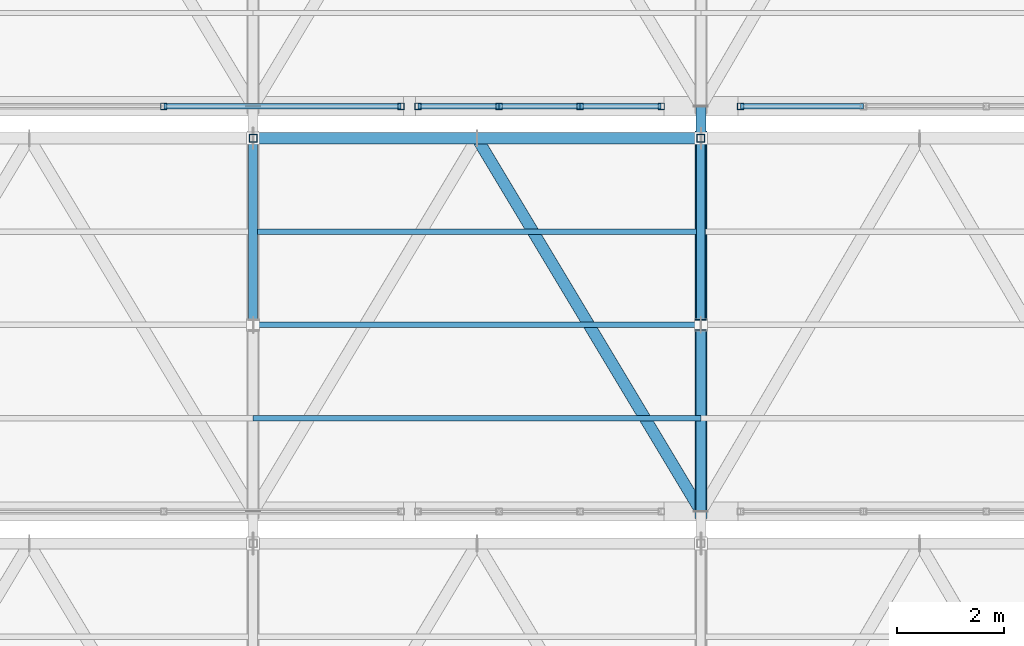
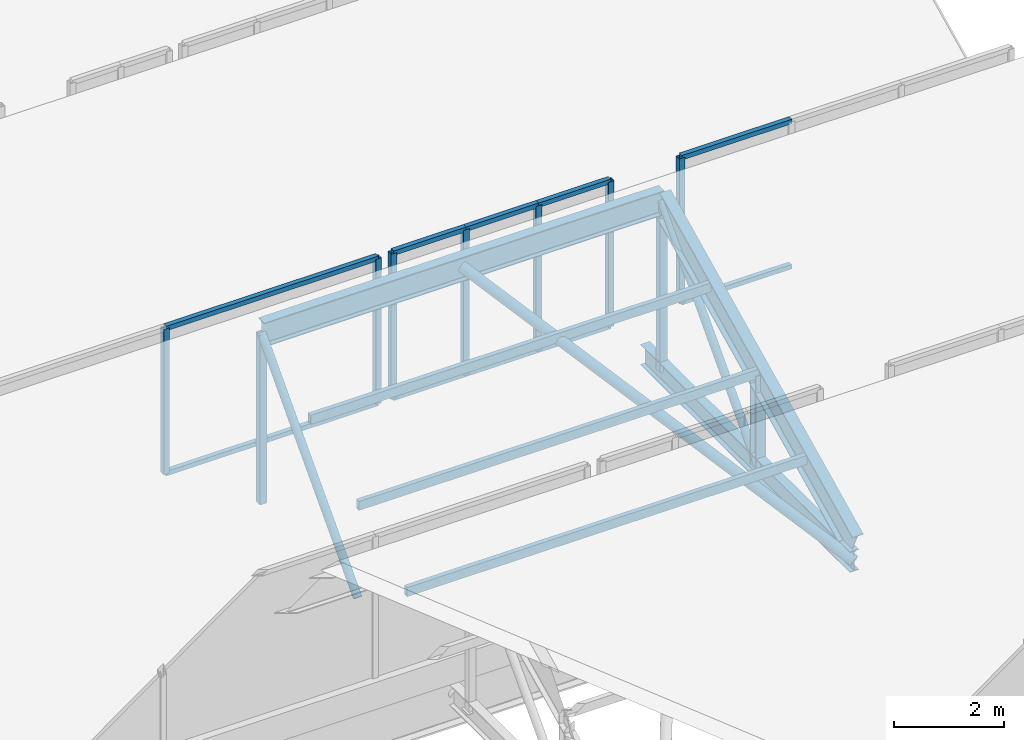
# One storey, part 29 of 57: 29 members, 3 elements without a shape of their own.
"""IFC4 building model written with IfcOpenShell, lengths in metres."""

import ifcopenshell
import ifcopenshell.guid

model = None  # the IFC model being written
_history = None  # IfcOwnerHistory: only IFC2X3 demands one
_inside = {}  # id of a spatial element -> (the spatial element, [elements in it])
_under = {}  # id of a project, library or spatial element -> (it, [spatial elements below it])
_declared = {}  # id of a project -> (the project, [libraries it declares])
_typed = {}  # id of a type object -> (the type object, [elements of that type])
_made_of = {}  # id of a material, layer set ... -> (it, [elements and type objects made of it])


def new_model(schema):
    """Start an empty IFC model of exactly this schema.

    Asked for "IFC4X3", IfcOpenShell would pick the latest addendum, in which some entities
    have other attributes; the version numbers below select the first issue.
    IFC2X3 requires an IfcOwnerHistory on every rooted entity: one is made here for all.
    """
    global model, _history
    if schema == "IFC4X3":
        model = ifcopenshell.file(schema_version=(4, 3, 0, 0))
    else:
        model = ifcopenshell.file(schema=schema)
    _inside.clear()
    _under.clear()
    _declared.clear()
    _typed.clear()
    _made_of.clear()
    _history = None
    if model.schema == "IFC2X3":
        org = make("IfcOrganization", Name="unknown")
        user = make(
            "IfcPersonAndOrganization",
            ThePerson=make("IfcPerson", FamilyName="unknown"),
            TheOrganization=org,
        )
        app = make(
            "IfcApplication",
            ApplicationDeveloper=org,
            Version="unknown",
            ApplicationFullName="unknown",
            ApplicationIdentifier="unknown",
        )
        _history = make(
            "IfcOwnerHistory",
            OwningUser=user,
            OwningApplication=app,
            ChangeAction="ADDED",
            CreationDate=0,
        )
    return model


def make(cls, **values):
    """One entity of the class cls with the attributes given. An attribute that is None is left unset."""
    return model.create_entity(
        cls, **{name: value for name, value in values.items() if value is not None}
    )


def rooted(cls, **values):
    """An entity with a GlobalId (a new one), such as an element, a storey or a relation."""
    return make(cls, GlobalId=ifcopenshell.guid.new(), OwnerHistory=_history, **values)


def si_unit(unit_type, name, prefix=None):
    """IfcSIUnit, for example si_unit("LENGTHUNIT", "METRE", prefix="MILLI")."""
    return make("IfcSIUnit", UnitType=unit_type, Prefix=prefix, Name=name)


def assignment(units):
    """IfcUnitAssignment: the units of a project."""
    return None if units is None else make("IfcUnitAssignment", Units=units)


def point(xyz):
    """IfcCartesianPoint."""
    return None if xyz is None else make("IfcCartesianPoint", Coordinates=xyz)


def direction(xyz):
    """IfcDirection."""
    return None if xyz is None else make("IfcDirection", DirectionRatios=xyz)


def frame(location, z_axis=None, x_axis=None):
    """IfcAxis2Placement3D, a coordinate frame: its origin and axes. An axis left out is left unset."""
    return make(
        "IfcAxis2Placement3D",
        Location=point(location),
        Axis=direction(z_axis),
        RefDirection=direction(x_axis),
    )


def frame_2d(location, x_axis=None):
    """IfcAxis2Placement2D, a coordinate frame in the plane: its origin and x axis."""
    return make(
        "IfcAxis2Placement2D", Location=point(location), RefDirection=direction(x_axis)
    )


def origin():
    """The frame at (0, 0, 0) with its axes left unset."""
    return frame((0.0, 0.0, 0.0))


def origin_2d():
    """The frame at (0, 0) in the plane with its x axis left unset."""
    return frame_2d((0.0, 0.0))


def place(relative_to, where):
    """IfcLocalPlacement: puts the frame where relative to a parent placement (None: the world)."""
    return make(
        "IfcLocalPlacement", PlacementRelTo=relative_to, RelativePlacement=where
    )


def context(
    kind, dimensions, precision=None, world=None, true_north=None, identifier=None
):
    """IfcGeometricRepresentationContext, for example the 3D "Model" context."""
    return make(
        "IfcGeometricRepresentationContext",
        ContextIdentifier=identifier,
        ContextType=kind,
        CoordinateSpaceDimension=dimensions,
        Precision=precision,
        WorldCoordinateSystem=world,
        TrueNorth=true_north,
    )


def subcontext(parent, identifier, kind, view, scale=None):
    """IfcGeometricRepresentationSubContext, for example "Body" below "Model"."""
    return make(
        "IfcGeometricRepresentationSubContext",
        ContextIdentifier=identifier,
        ContextType=kind,
        ParentContext=parent,
        TargetScale=scale,
        TargetView=view,
    )


def project(units=None, contexts=None):
    """IfcProject with its units and contexts."""
    return rooted(
        "IfcProject",
        Name="project",
        RepresentationContexts=contexts,
        UnitsInContext=assignment(units),
    )


def spatial(cls, under=None, at=None, **own):
    """A site, building, storey or space (cls), placed at a placement, below another one or the project."""
    s = rooted(cls, ObjectPlacement=at, **own)
    if under is not None:
        _under.setdefault(under.id(), (under, []))[1].append(s)
    return s


def profile(cls, at=None, kind="AREA", **sizes):
    """A parametric profile (cls). Its sizes go by their IFC names, for example OverallWidth=200.0."""
    return make(cls, ProfileType=kind, Position=at, **sizes)


def hollow_rectangle(**sizes):
    """IfcRectangleHollowProfileDef."""
    return profile("IfcRectangleHollowProfileDef", **sizes)


def hollow_circle(**sizes):
    """IfcCircleHollowProfileDef."""
    return profile("IfcCircleHollowProfileDef", **sizes)


def i_section(**sizes):
    """IfcIShapeProfileDef."""
    return profile("IfcIShapeProfileDef", **sizes)


def extrude(swept, where, along, depth):
    """IfcExtrudedAreaSolid: the profile swept, set in the frame where, extruded along a direction by depth."""
    return make(
        "IfcExtrudedAreaSolid",
        SweptArea=swept,
        Position=where,
        ExtrudedDirection=direction(along),
        Depth=depth,
    )


def shape(context_of_items, identifier, shape_type, items):
    """IfcShapeRepresentation: the items that make up one representation, for example the "Body"."""
    return make(
        "IfcShapeRepresentation",
        ContextOfItems=context_of_items,
        RepresentationIdentifier=identifier,
        RepresentationType=shape_type,
        Items=items,
    )


def material(Name=None, Category=None):
    """IfcMaterial."""
    return make("IfcMaterial", Name=Name, Category=Category)


def material_profile(
    of_material, cross_section, Name=None, Category=None, Priority=None
):
    """IfcMaterialProfile: a cross section and its material."""
    return make(
        "IfcMaterialProfile",
        Name=Name,
        Material=of_material,
        Profile=cross_section,
        Priority=Priority,
        Category=Category,
    )


def profile_set(profiles, Name=None, composite=None):
    """IfcMaterialProfileSet."""
    return make(
        "IfcMaterialProfileSet",
        Name=Name,
        MaterialProfiles=profiles,
        CompositeProfile=composite,
    )


def made_of(thing, what):
    """Note that an element or type object is made of a material, layer set ...; save() writes the relation."""
    if what is not None:
        _made_of.setdefault(what.id(), (what, []))[1].append(thing)
    return thing


def type_object(cls, material=None, **own):
    """A type object (cls), such as IfcWallType, which elements share."""
    return made_of(rooted(cls, **own), material)


def element(
    cls,
    number,
    at=None,
    inside=None,
    cuts=None,
    type_object=None,
    material=None,
    context=None,
    identifier="Body",
    shape_type=None,
    held_by="IfcProductDefinitionShape",
    body=None,
    shapes=None,
    **own,
):
    """One element of the class cls, such as IfcWall. Its Tag is "e" and its number.

    at: its placement. inside: the storey or other place that contains it. cuts: it is an
    opening in that element (IfcRelVoidsElement). A single representation is given by context,
    identifier, shape_type and body (its items); several are given by shapes. held_by: the class
    of the entity that holds the representations. save() writes the other relations.
    """
    e = rooted(cls, Tag="e%d" % number, ObjectPlacement=at, **own)
    if body is not None:
        shapes = [shape(context, identifier, shape_type, body)]
    if shapes is not None:
        e.Representation = make(held_by, Representations=shapes)
    if inside is not None:
        _inside.setdefault(inside.id(), (inside, []))[1].append(e)
    if cuts is not None:
        rooted(
            "IfcRelVoidsElement", RelatingBuildingElement=cuts, RelatedOpeningElement=e
        )
    if type_object is not None:
        _typed.setdefault(type_object.id(), (type_object, []))[1].append(e)
    return made_of(e, material)


def aggregate(whole, parts):
    """IfcRelAggregates: a whole, such as a stair, and the parts it consists of."""
    return rooted("IfcRelAggregates", RelatingObject=whole, RelatedObjects=parts)


def save(model, path):
    """Write the relations noted so far, then the file.

    IfcRelAggregates (storeys below a building ...), IfcRelContainedInSpatialStructure (elements
    in a storey), IfcRelDefinesByType, IfcRelAssociatesMaterial and IfcRelDeclares: one each for
    every whole, place, type object, material and project.
    """
    for whole, parts in _under.values():
        aggregate(whole, parts)
    for where, things in _inside.values():
        rooted(
            "IfcRelContainedInSpatialStructure",
            RelatedElements=things,
            RelatingStructure=where,
        )
    for kind, things in _typed.values():
        rooted("IfcRelDefinesByType", RelatedObjects=things, RelatingType=kind)
    for what, things in _made_of.values():
        rooted("IfcRelAssociatesMaterial", RelatedObjects=things, RelatingMaterial=what)
    for by, libraries in _declared.values():
        rooted("IfcRelDeclares", RelatingContext=by, RelatedDefinitions=libraries)
    model.write(path)


model = new_model("IFC4")

# Units and contexts
model_context = context("Model", 3, precision=1e-05, world=origin(), true_north=direction((0.0, 1.0)))
body_context = subcontext(model_context, "Body", "Model", "MODEL_VIEW")
ifc_project = project(units=[si_unit("LENGTHUNIT", "METRE"), si_unit("AREAUNIT", "SQUARE_METRE"), si_unit("VOLUMEUNIT", "CUBIC_METRE"), si_unit("PLANEANGLEUNIT", "RADIAN"), si_unit("MASSUNIT", "GRAM", prefix="KILO")], contexts=[model_context])

# Site, building, storey
site_placement = place(None, origin())
site = spatial("IfcSite", under=ifc_project, at=site_placement, CompositionType="ELEMENT")
building_placement = place(site_placement, origin())
building = spatial("IfcBuilding", under=site, at=building_placement, Name="Zuvorla Pavilion Media Centre", CompositionType="ELEMENT")
storey_placement = place(building_placement, frame((0.0, 0.0, 18.0)))
storey = spatial("IfcBuildingStorey", under=building, at=storey_placement, Name="L04", CompositionType="ELEMENT", Elevation=18.0)

# Curtain wall, members
ifc_material_1 = material(Name="Unitised anodised aluminium and solar glass curtain wall", Category="aluminium")
curtain_wall_type_1 = type_object("IfcCurtainWallType", Name="CW-SYS-95", PredefinedType="USERDEFINED", material=ifc_material_1)
curtain_wall_1_placement = place(storey_placement, origin())
curtain_wall_1 = element("IfcCurtainWall", 1, at=curtain_wall_1_placement, inside=storey, type_object=curtain_wall_type_1, Name="L04 curtain wall CW95 237", ObjectType="CURTAIN WALL", PredefinedType="USERDEFINED")
ifc_material_2 = material(Name="Anodised aluminium 6063-T6", Category="aluminium")
ifc_material_profile_1 = material_profile(ifc_material_2, hollow_rectangle(XDim=0.1201171875, YDim=0.1201171875, WallThickness=0.0048828125, at=origin_2d()), Name="ALU MULL 120x120")
ifc_profile_set_1 = profile_set([ifc_material_profile_1], Name="Anodised aluminium 6063-T6")
member_type_1 = type_object("IfcMemberType", Name="CW-MULL-120", PredefinedType="MULLION", material=ifc_profile_set_1)
member_1_placement = place(storey_placement, frame((140.724365234375, 28.800048828125, 0.0), z_axis=(0.0, 0.0, 1.0), x_axis=(1.0, 0.0, 0.0)))
member_1 = element("IfcMember", 2, at=member_1_placement, type_object=member_type_1, Name="CW95 mullion 3", PredefinedType="MULLION", context=body_context, shape_type="SweptSolid", body=[
    extrude(hollow_rectangle(XDim=0.1201171875, YDim=0.1201171875, WallThickness=0.0048828125, at=origin_2d()), origin(), (0.0, 0.0, 1.0), 3.219970703125),
])
member_2_placement = place(storey_placement, frame((145.17333984375, 28.800048828125, 0.0), z_axis=(0.0, 0.0, 1.0), x_axis=(1.0, 0.0, 0.0)))
member_2 = element("IfcMember", 3, at=member_2_placement, type_object=member_type_1, Name="CW95 mullion 4", PredefinedType="MULLION", context=body_context, shape_type="SweptSolid", body=[
    extrude(hollow_rectangle(XDim=0.1201171875, YDim=0.1201171875, WallThickness=0.0048828125, at=origin_2d()), origin(), (0.0, 0.0, 1.0), 3.219970703125),
])

curtain_wall_type_2 = type_object("IfcCurtainWallType", Name="CW-SYS-94", PredefinedType="USERDEFINED", material=ifc_material_1)
curtain_wall_2_placement = place(storey_placement, origin())
curtain_wall_2 = element("IfcCurtainWall", 4, at=curtain_wall_2_placement, inside=storey, type_object=curtain_wall_type_2, Name="L04 curtain wall CW94 238", ObjectType="CURTAIN WALL", PredefinedType="USERDEFINED")
member_3_placement = place(storey_placement, frame((145.493408203125, 28.800048828125, 0.0), z_axis=(0.0, 0.0, 1.0), x_axis=(1.0, 0.0, 0.0)))
member_3 = element("IfcMember", 5, at=member_3_placement, type_object=member_type_1, Name="CW94 mullion 1", PredefinedType="MULLION", context=body_context, shape_type="SweptSolid", body=[
    extrude(hollow_rectangle(XDim=0.1201171875, YDim=0.1201171875, WallThickness=0.0048828125, at=origin_2d()), origin(), (0.0, 0.0, 1.0), 3.219970703125),
])
member_4_placement = place(storey_placement, frame((147.01416015625, 28.800048828125, 0.0), z_axis=(0.0, 0.0, 1.0), x_axis=(1.0, 0.0, 0.0)))
member_4 = element("IfcMember", 6, at=member_4_placement, type_object=member_type_1, Name="CW94 mullion 2", PredefinedType="MULLION", context=body_context, shape_type="SweptSolid", body=[
    extrude(hollow_rectangle(XDim=0.1201171875, YDim=0.1201171875, WallThickness=0.0048828125, at=origin_2d()), origin(), (0.0, 0.0, 1.0), 3.219970703125),
])
member_5_placement = place(storey_placement, frame((148.534912109375, 28.800048828125, 0.0), z_axis=(0.0, 0.0, 1.0), x_axis=(1.0, 0.0, 0.0)))
member_5 = element("IfcMember", 7, at=member_5_placement, type_object=member_type_1, Name="CW94 mullion 3", PredefinedType="MULLION", context=body_context, shape_type="SweptSolid", body=[
    extrude(hollow_rectangle(XDim=0.1201171875, YDim=0.1201171875, WallThickness=0.0048828125, at=origin_2d()), origin(), (0.0, 0.0, 1.0), 3.219970703125),
])
member_6_placement = place(storey_placement, frame((150.0556640625, 28.800048828125, 0.0), z_axis=(0.0, 0.0, 1.0), x_axis=(1.0, 0.0, 0.0)))
member_6 = element("IfcMember", 8, at=member_6_placement, type_object=member_type_1, Name="CW94 mullion 4", PredefinedType="MULLION", context=body_context, shape_type="SweptSolid", body=[
    extrude(hollow_rectangle(XDim=0.1201171875, YDim=0.1201171875, WallThickness=0.0048828125, at=origin_2d()), origin(), (0.0, 0.0, 1.0), 3.219970703125),
])

# Curtain wall, member
curtain_wall_type_3 = type_object("IfcCurtainWallType", Name="CW-SYS-92", PredefinedType="USERDEFINED", material=ifc_material_1)
curtain_wall_3_placement = place(storey_placement, origin())
curtain_wall_3 = element("IfcCurtainWall", 9, at=curtain_wall_3_placement, inside=storey, type_object=curtain_wall_type_3, Name="L04 curtain wall CW92 239", ObjectType="CURTAIN WALL", PredefinedType="USERDEFINED")
member_7_placement = place(storey_placement, frame((151.544189453125, 28.800048828125, 0.0), z_axis=(0.0, 0.0, 1.0), x_axis=(1.0, 0.0, 0.0)))
member_7 = element("IfcMember", 10, at=member_7_placement, type_object=member_type_1, Name="CW92 mullion 1", PredefinedType="MULLION", context=body_context, shape_type="SweptSolid", body=[
    extrude(hollow_rectangle(XDim=0.1201171875, YDim=0.1201171875, WallThickness=0.0048828125, at=origin_2d()), origin(), (0.0, 0.0, 1.0), 3.219970703125),
])

# Member
ifc_material_profile_2 = material_profile(ifc_material_2, hollow_rectangle(XDim=0.10009765625, YDim=0.10009765625, WallThickness=0.00439453125, at=origin_2d()), Name="ALU TRAN 100x100")
ifc_profile_set_2 = profile_set([ifc_material_profile_2], Name="Anodised aluminium 6063-T6")
member_type_2 = type_object("IfcMemberType", Name="CW-TRAN-100", PredefinedType="USERDEFINED", material=ifc_profile_set_2)
member_8_placement = place(storey_placement, frame((140.724365234375, 28.800048828125, 0.0), z_axis=(1.0, 0.0, 0.0), x_axis=(0.0, 1.0, 0.0)))
member_8 = element("IfcMember", 11, at=member_8_placement, type_object=member_type_2, Name="CW95 transom 3.1", ObjectType="TRANSOM", PredefinedType="USERDEFINED", context=body_context, shape_type="SweptSolid", body=[
    extrude(hollow_rectangle(XDim=0.10009765625, YDim=0.10009765625, WallThickness=0.00439453125, at=origin_2d()), origin(), (0.0, 0.0, 1.0), 4.448974609375),
])

member_9_placement = place(storey_placement, frame((140.724365234375, 28.800048828125, 3.219970703125), z_axis=(1.0, 0.0, 0.0), x_axis=(0.0, 1.0, 0.0)))
member_9 = element("IfcMember", 12, at=member_9_placement, type_object=member_type_2, Name="CW95 transom 3.2", ObjectType="TRANSOM", PredefinedType="USERDEFINED", context=body_context, shape_type="SweptSolid", body=[
    extrude(hollow_rectangle(XDim=0.10009765625, YDim=0.10009765625, WallThickness=0.00439453125, at=origin_2d()), origin(), (0.0, 0.0, 1.0), 4.448974609375),
])

aggregate(curtain_wall_1, [member_1, member_2, member_8, member_9])

member_10_placement = place(storey_placement, frame((145.493408203125, 28.800048828125, 0.0), z_axis=(1.0, 0.0, 0.0), x_axis=(0.0, 1.0, 0.0)))
member_10 = element("IfcMember", 13, at=member_10_placement, type_object=member_type_2, Name="CW94 transom 1.1", ObjectType="TRANSOM", PredefinedType="USERDEFINED", context=body_context, shape_type="SweptSolid", body=[
    extrude(hollow_rectangle(XDim=0.10009765625, YDim=0.10009765625, WallThickness=0.00439453125, at=origin_2d()), origin(), (0.0, 0.0, 1.0), 1.520751953125),
])

member_11_placement = place(storey_placement, frame((145.493408203125, 28.800048828125, 3.219970703125), z_axis=(1.0, 0.0, 0.0), x_axis=(0.0, 1.0, 0.0)))
member_11 = element("IfcMember", 14, at=member_11_placement, type_object=member_type_2, Name="CW94 transom 1.2", ObjectType="TRANSOM", PredefinedType="USERDEFINED", context=body_context, shape_type="SweptSolid", body=[
    extrude(hollow_rectangle(XDim=0.10009765625, YDim=0.10009765625, WallThickness=0.00439453125, at=origin_2d()), origin(), (0.0, 0.0, 1.0), 1.520751953125),
])

member_12_placement = place(storey_placement, frame((147.01416015625, 28.800048828125, 0.0), z_axis=(1.0, 0.0, 0.0), x_axis=(0.0, 1.0, 0.0)))
member_12 = element("IfcMember", 15, at=member_12_placement, type_object=member_type_2, Name="CW94 transom 2.1", ObjectType="TRANSOM", PredefinedType="USERDEFINED", context=body_context, shape_type="SweptSolid", body=[
    extrude(hollow_rectangle(XDim=0.10009765625, YDim=0.10009765625, WallThickness=0.00439453125, at=origin_2d()), origin(), (0.0, 0.0, 1.0), 1.520751953125),
])

member_13_placement = place(storey_placement, frame((147.01416015625, 28.800048828125, 3.219970703125), z_axis=(1.0, 0.0, 0.0), x_axis=(0.0, 1.0, 0.0)))
member_13 = element("IfcMember", 16, at=member_13_placement, type_object=member_type_2, Name="CW94 transom 2.2", ObjectType="TRANSOM", PredefinedType="USERDEFINED", context=body_context, shape_type="SweptSolid", body=[
    extrude(hollow_rectangle(XDim=0.10009765625, YDim=0.10009765625, WallThickness=0.00439453125, at=origin_2d()), origin(), (0.0, 0.0, 1.0), 1.520751953125),
])

member_14_placement = place(storey_placement, frame((148.534912109375, 28.800048828125, 0.0), z_axis=(1.0, 0.0, 0.0), x_axis=(0.0, 1.0, 0.0)))
member_14 = element("IfcMember", 17, at=member_14_placement, type_object=member_type_2, Name="CW94 transom 3.1", ObjectType="TRANSOM", PredefinedType="USERDEFINED", context=body_context, shape_type="SweptSolid", body=[
    extrude(hollow_rectangle(XDim=0.10009765625, YDim=0.10009765625, WallThickness=0.00439453125, at=origin_2d()), origin(), (0.0, 0.0, 1.0), 1.520751953125),
])

member_15_placement = place(storey_placement, frame((148.534912109375, 28.800048828125, 3.219970703125), z_axis=(1.0, 0.0, 0.0), x_axis=(0.0, 1.0, 0.0)))
member_15 = element("IfcMember", 18, at=member_15_placement, type_object=member_type_2, Name="CW94 transom 3.2", ObjectType="TRANSOM", PredefinedType="USERDEFINED", context=body_context, shape_type="SweptSolid", body=[
    extrude(hollow_rectangle(XDim=0.10009765625, YDim=0.10009765625, WallThickness=0.00439453125, at=origin_2d()), origin(), (0.0, 0.0, 1.0), 1.520751953125),
])

aggregate(curtain_wall_2, [member_3, member_4, member_5, member_6, member_10, member_11, member_12, member_13, member_14, member_15])

member_16_placement = place(storey_placement, frame((151.544189453125, 28.800048828125, 0.0), z_axis=(1.0, 0.0, 0.0), x_axis=(0.0, 1.0, 0.0)))
member_16 = element("IfcMember", 19, at=member_16_placement, type_object=member_type_2, Name="CW92 transom 1.1", ObjectType="TRANSOM", PredefinedType="USERDEFINED", context=body_context, shape_type="SweptSolid", body=[
    extrude(hollow_rectangle(XDim=0.10009765625, YDim=0.10009765625, WallThickness=0.00439453125, at=origin_2d()), origin(), (0.0, 0.0, 1.0), 2.303955078125),
])

member_17_placement = place(storey_placement, frame((151.544189453125, 28.800048828125, 3.219970703125), z_axis=(1.0, 0.0, 0.0), x_axis=(0.0, 1.0, 0.0)))
member_17 = element("IfcMember", 20, at=member_17_placement, type_object=member_type_2, Name="CW92 transom 1.2", ObjectType="TRANSOM", PredefinedType="USERDEFINED", context=body_context, shape_type="SweptSolid", body=[
    extrude(hollow_rectangle(XDim=0.10009765625, YDim=0.10009765625, WallThickness=0.00439453125, at=origin_2d()), origin(), (0.0, 0.0, 1.0), 2.303955078125),
])

aggregate(curtain_wall_3, [member_7, member_16, member_17])

# Members
ifc_material_3 = material(Name="Steel S355", Category="steel")
ifc_material_profile_3 = material_profile(ifc_material_3, hollow_circle(Radius=0.084228515625, WallThickness=0.008056640625, at=origin_2d()), Name="CHS 168.3x8")
ifc_profile_set_3 = profile_set([ifc_material_profile_3], Name="Steel S355")
member_type_3 = type_object("IfcMemberType", Name="MEM-BRC-CHS168", PredefinedType="BRACE", material=ifc_profile_set_3)
for number, where, z_axis, x_axis, name in (
    (21, (142.39990234375, 24.699951171875, -0.8798828125), (0.0, 0.681156069412, 0.732138244529), (-1.0, 0.0, 0.0), "L04 diagonal brace TB03 636"),
    (22, (150.800048828125, 24.699951171875, -0.8798828125), (0.0, 0.681156069412, 0.732138244529), (-1.0, 0.0, 0.0), "L04 diagonal brace TB03 641"),
):
    element("IfcMember", number, at=place(storey_placement, frame(where, z_axis=z_axis, x_axis=x_axis)), inside=storey, type_object=member_type_3, Name=name, PredefinedType="BRACE", context=body_context, shape_type="SweptSolid", body=[
        extrude(hollow_circle(Radius=0.084228515625, WallThickness=0.008056640625, at=origin_2d()), origin(), (0.0, 0.0, 1.0), 5.138427734375),
    ])
ifc_material_profile_4 = material_profile(ifc_material_3, hollow_circle(Radius=0.109619140625, WallThickness=0.010009765625, at=origin_2d()), Name="CHS 219.1x10")
ifc_profile_set_4 = profile_set([ifc_material_profile_4], Name="Steel S355")
member_type_4 = type_object("IfcMemberType", Name="MEM-BRC-CHS219", PredefinedType="BRACE", material=ifc_profile_set_4)
member_18_placement = place(storey_placement, frame((146.60009765625, 28.199951171875, 2.882080078125), z_axis=(0.46726169892, -0.778778552081, -0.418533716135), x_axis=(0.857495564561, 0.514491357322, 0.0)))
element("IfcMember", 23, at=member_18_placement, inside=storey, type_object=member_type_4, Name="L04 diagonal brace TB02 668", PredefinedType="BRACE", context=body_context, shape_type="SweptSolid", body=[
    extrude(hollow_circle(Radius=0.109619140625, WallThickness=0.010009765625, at=origin_2d()), origin(), (0.0, 0.0, 1.0), 8.988525390625),
])
ifc_material_profile_5 = material_profile(ifc_material_3, i_section(OverallWidth=0.19140625, OverallDepth=0.4599609375, WebThickness=0.010009765625, FlangeThickness=0.01611328125, FilletRadius=0.01025390625, at=origin_2d()), Name="UB 457x191x82")
ifc_profile_set_5 = profile_set([ifc_material_profile_5], Name="Steel S355")
member_type_5 = type_object("IfcMemberType", Name="MEM-CHD-UB457", PredefinedType="CHORD", material=ifc_profile_set_5)
member_19_placement = place(storey_placement, frame((150.800048828125, 21.199951171875, -0.8798828125), z_axis=(0.0, 1.0, 0.0), x_axis=(-1.0, 0.0, 0.0)))
element("IfcMember", 24, at=member_19_placement, inside=storey, type_object=member_type_5, Name="L04 chord TC03 638", PredefinedType="CHORD", context=body_context, shape_type="SweptSolid", body=[
    extrude(i_section(OverallWidth=0.19140625, OverallDepth=0.4599609375, WebThickness=0.010009765625, FlangeThickness=0.01611328125, FilletRadius=0.01025390625, at=origin_2d()), origin(), (0.0, 0.0, 1.0), 7.60009765625),
])
ifc_material_profile_6 = material_profile(ifc_material_3, i_section(OverallWidth=0.2099609375, OverallDepth=0.53662109375, WebThickness=0.0107421875, FlangeThickness=0.017333984375, FilletRadius=0.0126953125, at=origin_2d()), Name="UB 533x210x101")
ifc_profile_set_6 = profile_set([ifc_material_profile_6], Name="Steel S355")
member_type_6 = type_object("IfcMemberType", Name="MEM-CHD-UB533", PredefinedType="CHORD", material=ifc_profile_set_6)
member_20_placement = place(storey_placement, frame((142.39990234375, 28.199951171875, 2.882080078125), z_axis=(1.0, 0.0, 0.0), x_axis=(0.0, 1.0, 0.0)))
element("IfcMember", 25, at=member_20_placement, inside=storey, type_object=member_type_6, Name="L04 chord TC02 666", PredefinedType="CHORD", context=body_context, shape_type="SweptSolid", body=[
    extrude(i_section(OverallWidth=0.2099609375, OverallDepth=0.53662109375, WebThickness=0.0107421875, FlangeThickness=0.017333984375, FilletRadius=0.0126953125, at=origin_2d()), origin(), (0.0, 0.0, 1.0), 8.400146484375),
])
ifc_material_profile_7 = material_profile(ifc_material_3, i_section(OverallWidth=0.22900390625, OverallDepth=0.6123046875, WebThickness=0.011962890625, FlangeThickness=0.01953125, FilletRadius=0.0126953125, at=origin_2d()), Name="UB 610x229x125")
ifc_profile_set_7 = profile_set([ifc_material_profile_7], Name="Steel S355")
member_type_7 = type_object("IfcMemberType", Name="MEM-CHD-UB610", PredefinedType="CHORD", material=ifc_profile_set_7)
member_21_placement = place(storey_placement, frame((150.800048828125, 21.199951171875, -0.517822265625), z_axis=(0.0, 0.899513090263, 0.436893809117), x_axis=(-1.0, 0.0, 0.0)))
element("IfcMember", 26, at=member_21_placement, inside=storey, type_object=member_type_7, Name="L04 chord TC01 639", PredefinedType="CHORD", context=body_context, shape_type="SweptSolid", body=[
    extrude(i_section(OverallWidth=0.22900390625, OverallDepth=0.6123046875, WebThickness=0.011962890625, FlangeThickness=0.01953125, FilletRadius=0.0126953125, at=origin_2d()), origin(), (0.0, 0.0, 1.0), 7.781982421875),
])
ifc_material_profile_8 = material_profile(ifc_material_3, hollow_rectangle(XDim=0.10009765625, YDim=0.199951171875, WallThickness=0.008056640625, at=origin_2d()), Name="RHS 200x100x8")
ifc_profile_set_8 = profile_set([ifc_material_profile_8], Name="Steel S355")
member_type_8 = type_object("IfcMemberType", Name="MEM-PUR-RHS200", PredefinedType="PURLIN", material=ifc_profile_set_8)
for number, where, z_axis, x_axis, name in (
    (27, (142.39990234375, 22.949951171875, 0.33203125), (1.0, 0.0, 0.0), (0.0, 1.0, 0.0), "L04 purlin PR01 669"),
    (28, (142.39990234375, 24.699951171875, 1.18212890625), (1.0, 0.0, 0.0), (0.0, 1.0, 0.0), "L04 purlin PR01 670"),
    (29, (142.39990234375, 26.449951171875, 2.031982421875), (1.0, 0.0, 0.0), (0.0, 1.0, 0.0), "L04 purlin PR01 671"),
):
    element("IfcMember", number, at=place(storey_placement, frame(where, z_axis=z_axis, x_axis=x_axis)), inside=storey, type_object=member_type_8, Name=name, PredefinedType="PURLIN", context=body_context, shape_type="SweptSolid", body=[
        extrude(hollow_rectangle(XDim=0.10009765625, YDim=0.199951171875, WallThickness=0.008056640625, at=origin_2d()), origin(), (0.0, 0.0, 1.0), 8.400146484375),
    ])
ifc_material_profile_9 = material_profile(ifc_material_3, hollow_rectangle(XDim=0.14990234375, YDim=0.14990234375, WallThickness=0.008056640625, at=origin_2d()), Name="SHS 150x150x8")
ifc_profile_set_9 = profile_set([ifc_material_profile_9], Name="Steel S355")
member_type_9 = type_object("IfcMemberType", Name="MEM-STR-SHS150", PredefinedType="STRUT", material=ifc_profile_set_9)
for number, where, z_axis, x_axis, name in (
    (30, (142.39990234375, 28.199951171875, -0.8798828125), (0.0, 0.0, 1.0), (1.0, 0.0, 0.0), "L04 vertical strut TS01 635"),
    (31, (150.800048828125, 28.199951171875, -0.8798828125), (0.0, 0.0, 1.0), (1.0, 0.0, 0.0), "L04 vertical strut TS01 640"),
):
    element("IfcMember", number, at=place(storey_placement, frame(where, z_axis=z_axis, x_axis=x_axis)), inside=storey, type_object=member_type_9, Name=name, PredefinedType="STRUT", context=body_context, shape_type="SweptSolid", body=[
        extrude(hollow_rectangle(XDim=0.14990234375, YDim=0.14990234375, WallThickness=0.008056640625, at=origin_2d()), origin(), (0.0, 0.0, 1.0), 3.761962890625),
    ])
ifc_material_profile_10 = material_profile(ifc_material_3, i_section(OverallWidth=0.205810546875, OverallDepth=0.209716796875, WebThickness=0.009521484375, FlangeThickness=0.01416015625, FilletRadius=0.01025390625, at=origin_2d()), Name="UC 203x203x60")
ifc_profile_set_10 = profile_set([ifc_material_profile_10], Name="Steel S355")
member_type_10 = type_object("IfcMemberType", Name="MEM-STR-UC203", PredefinedType="STRUT", material=ifc_profile_set_10)
member_22_placement = place(storey_placement, frame((150.800048828125, 24.699951171875, -0.8798828125), z_axis=(0.0, 0.0, 1.0), x_axis=(1.0, 0.0, 0.0)))
element("IfcMember", 32, at=member_22_placement, inside=storey, type_object=member_type_10, Name="L04 vertical strut TS02 642", PredefinedType="STRUT", context=body_context, shape_type="SweptSolid", body=[
    extrude(i_section(OverallWidth=0.205810546875, OverallDepth=0.209716796875, WebThickness=0.009521484375, FlangeThickness=0.01416015625, FilletRadius=0.01025390625, at=origin_2d()), origin(), (0.0, 0.0, 1.0), 2.06201171875),
])

save(model, "model.ifc")
